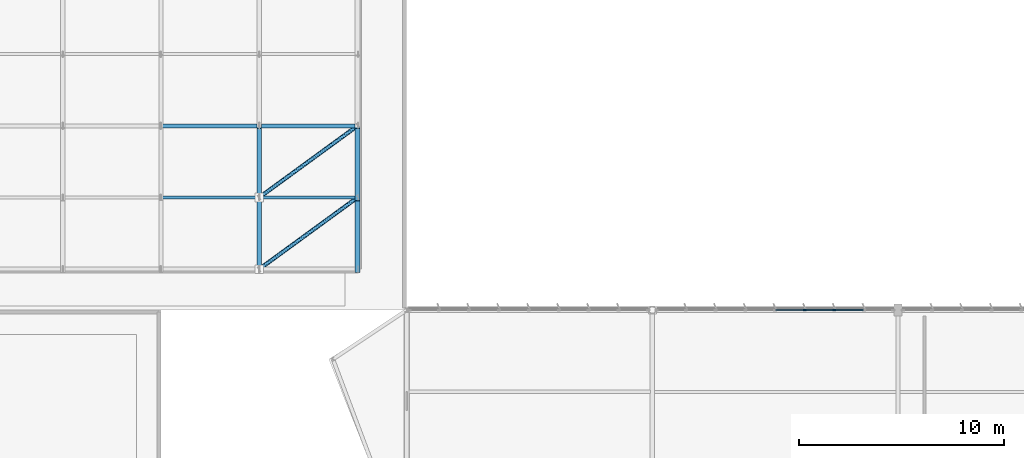
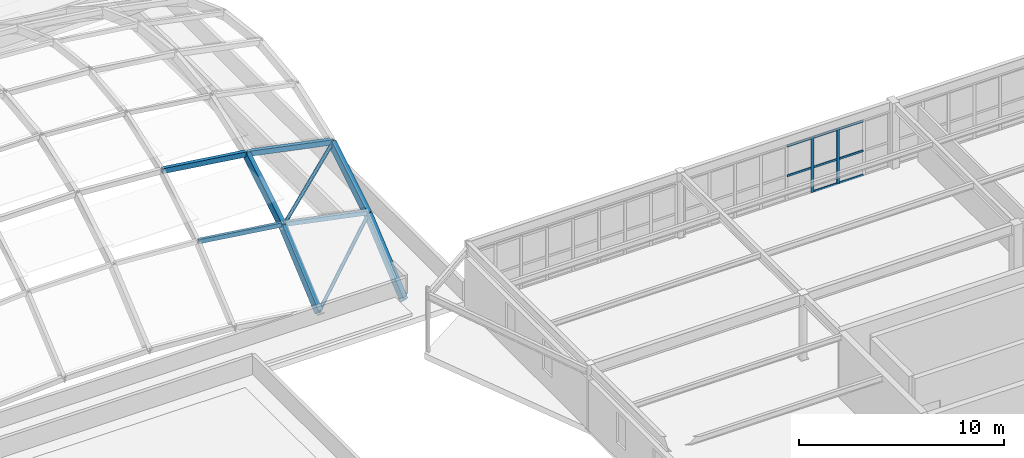
# One storey, part 58 of 128: 20 members, 1 element without a shape of its own.
"""IFC4 building model written with IfcOpenShell, lengths in metres."""

from ifc_helpers import new_model, si_unit, direction, frame, origin, origin_2d, place, context, subcontext, project, spatial, rectangle, hollow_rectangle, hollow_circle, extrude, material, layer, layer_set, material_profile, profile_set, type_object, element, aggregate, save


model = new_model("IFC4")

# Units and contexts
model_context = context("Model", 3, precision=1e-05, world=origin(), true_north=direction((0.0, 1.0)))
body_context = subcontext(model_context, "Body", "Model", "MODEL_VIEW")
ifc_project = project(units=[si_unit("LENGTHUNIT", "METRE"), si_unit("AREAUNIT", "SQUARE_METRE"), si_unit("VOLUMEUNIT", "CUBIC_METRE"), si_unit("PLANEANGLEUNIT", "RADIAN"), si_unit("MASSUNIT", "GRAM", prefix="KILO")], contexts=[model_context])

# Site, building, storey
site_placement = place(None, origin())
site = spatial("IfcSite", under=ifc_project, at=site_placement, CompositionType="ELEMENT")
building_placement = place(site_placement, origin())
building = spatial("IfcBuilding", under=site, at=building_placement, Name="Tarnwether General Hospital", CompositionType="ELEMENT")
storey_placement = place(building_placement, frame((0.0, 0.0, 14.39990234375)))
storey = spatial("IfcBuildingStorey", under=building, at=storey_placement, Name="L03", CompositionType="ELEMENT", Elevation=14.39990234375)

# Curtain wall, members
ifc_material_1 = material(Name="Anodised aluminium", Category="aluminium")
ifc_layer = layer(ifc_material_1, 0.159912109375)
ifc_layer_set = layer_set([ifc_layer], Name="Anodised aluminium")
curtain_wall_type = type_object("IfcCurtainWallType", Name="CW-18", PredefinedType="NOTDEFINED", material=ifc_layer_set)
curtain_wall_placement = place(storey_placement, origin())
curtain_wall = element("IfcCurtainWall", 1, at=curtain_wall_placement, inside=storey, type_object=curtain_wall_type, Name="Curtain Wall CWG-L03-1562_456-0477", PredefinedType="NOTDEFINED")
ifc_material_2 = material(Name="Anodised aluminium", Category="aluminium")
ifc_material_profile_1 = material_profile(ifc_material_2, rectangle(XDim=0.06005859375, YDim=0.159912109375, at=origin_2d()), Name="ALU-MUL-60x160")
ifc_profile_set_1 = profile_set([ifc_material_profile_1], Name="Anodised aluminium")
member_type_1 = type_object("IfcMemberType", Name="CW-ML1", PredefinedType="MULLION", material=ifc_profile_set_1)
member_1_placement = place(storey_placement, frame((163.439697265625, 45.60009765625, 0.0), z_axis=(0.0, 0.0, 1.0), x_axis=(0.0, 1.0, 0.0)))
member_1 = element("IfcMember", 2, at=member_1_placement, type_object=member_type_1, Name="CW-18 mullion 6", PredefinedType="MULLION", context=body_context, shape_type="SweptSolid", body=[
    extrude(rectangle(XDim=0.06005859375, YDim=0.159912109375, at=origin_2d()), origin(), (0.0, 0.0, 1.0), 3.273193359375),
])
member_2_placement = place(storey_placement, frame((164.890380859375, 45.60009765625, 0.0), z_axis=(0.0, 0.0, 1.0), x_axis=(0.0, 1.0, 0.0)))
member_2 = element("IfcMember", 3, at=member_2_placement, type_object=member_type_1, Name="CW-18 mullion 7", PredefinedType="MULLION", context=body_context, shape_type="SweptSolid", body=[
    extrude(rectangle(XDim=0.06005859375, YDim=0.159912109375, at=origin_2d()), origin(), (0.0, 0.0, 1.0), 3.273193359375),
])
ifc_material_3 = material(Name="Anodised aluminium", Category="aluminium")
ifc_material_profile_2 = material_profile(ifc_material_3, rectangle(XDim=0.06005859375, YDim=0.1201171875, at=origin_2d()), Name="ALU-TRN-60x120")
ifc_profile_set_2 = profile_set([ifc_material_profile_2], Name="Anodised aluminium")
member_type_2 = type_object("IfcMemberType", Name="CW-TR1", PredefinedType="USERDEFINED", material=ifc_profile_set_2)
member_3_placement = place(storey_placement, frame((162.01904296875, 45.60009765625, 1.472900390625), z_axis=(1.0, 0.0, 0.0), x_axis=(0.0, 1.0, 0.0)))
member_3 = element("IfcMember", 4, at=member_3_placement, type_object=member_type_2, Name="CW-18 transom 5.2", ObjectType="TRANSOM", PredefinedType="USERDEFINED", context=body_context, shape_type="SweptSolid", body=[
    extrude(rectangle(XDim=0.06005859375, YDim=0.1201171875, at=origin_2d()), origin(), (0.0, 0.0, 1.0), 1.390625),
])
member_4_placement = place(storey_placement, frame((162.01904296875, 45.60009765625, 3.2431640625), z_axis=(1.0, 0.0, 0.0), x_axis=(0.0, 1.0, 0.0)))
member_4 = element("IfcMember", 5, at=member_4_placement, type_object=member_type_2, Name="CW-18 transom 5.3", ObjectType="TRANSOM", PredefinedType="USERDEFINED", context=body_context, shape_type="SweptSolid", body=[
    extrude(rectangle(XDim=0.06005859375, YDim=0.1201171875, at=origin_2d()), origin(), (0.0, 0.0, 1.0), 1.390625),
])
member_5_placement = place(storey_placement, frame((163.4697265625, 45.60009765625, 0.030029296875), z_axis=(1.0, 0.0, 0.0), x_axis=(0.0, 1.0, 0.0)))
member_5 = element("IfcMember", 6, at=member_5_placement, type_object=member_type_2, Name="CW-18 transom 6.1", ObjectType="TRANSOM", PredefinedType="USERDEFINED", context=body_context, shape_type="SweptSolid", body=[
    extrude(rectangle(XDim=0.06005859375, YDim=0.1201171875, at=origin_2d()), origin(), (0.0, 0.0, 1.0), 1.390869140625),
])
member_6_placement = place(storey_placement, frame((163.4697265625, 45.60009765625, 1.472900390625), z_axis=(1.0, 0.0, 0.0), x_axis=(0.0, 1.0, 0.0)))
member_6 = element("IfcMember", 7, at=member_6_placement, type_object=member_type_2, Name="CW-18 transom 6.2", ObjectType="TRANSOM", PredefinedType="USERDEFINED", context=body_context, shape_type="SweptSolid", body=[
    extrude(rectangle(XDim=0.06005859375, YDim=0.1201171875, at=origin_2d()), origin(), (0.0, 0.0, 1.0), 1.390869140625),
])
member_7_placement = place(storey_placement, frame((163.4697265625, 45.60009765625, 3.2431640625), z_axis=(1.0, 0.0, 0.0), x_axis=(0.0, 1.0, 0.0)))
member_7 = element("IfcMember", 8, at=member_7_placement, type_object=member_type_2, Name="CW-18 transom 6.3", ObjectType="TRANSOM", PredefinedType="USERDEFINED", context=body_context, shape_type="SweptSolid", body=[
    extrude(rectangle(XDim=0.06005859375, YDim=0.1201171875, at=origin_2d()), origin(), (0.0, 0.0, 1.0), 1.390869140625),
])
member_8_placement = place(storey_placement, frame((164.92041015625, 45.60009765625, 0.030029296875), z_axis=(1.0, 0.0, 0.0), x_axis=(0.0, 1.0, 0.0)))
member_8 = element("IfcMember", 9, at=member_8_placement, type_object=member_type_2, Name="CW-18 transom 7.1", ObjectType="TRANSOM", PredefinedType="USERDEFINED", context=body_context, shape_type="SweptSolid", body=[
    extrude(rectangle(XDim=0.06005859375, YDim=0.1201171875, at=origin_2d()), origin(), (0.0, 0.0, 1.0), 1.390869140625),
])
member_9_placement = place(storey_placement, frame((164.92041015625, 45.60009765625, 1.472900390625), z_axis=(1.0, 0.0, 0.0), x_axis=(0.0, 1.0, 0.0)))
member_9 = element("IfcMember", 10, at=member_9_placement, type_object=member_type_2, Name="CW-18 transom 7.2", ObjectType="TRANSOM", PredefinedType="USERDEFINED", context=body_context, shape_type="SweptSolid", body=[
    extrude(rectangle(XDim=0.06005859375, YDim=0.1201171875, at=origin_2d()), origin(), (0.0, 0.0, 1.0), 1.390869140625),
])
member_10_placement = place(storey_placement, frame((164.92041015625, 45.60009765625, 3.2431640625), z_axis=(1.0, 0.0, 0.0), x_axis=(0.0, 1.0, 0.0)))
member_10 = element("IfcMember", 11, at=member_10_placement, type_object=member_type_2, Name="CW-18 transom 7.3", ObjectType="TRANSOM", PredefinedType="USERDEFINED", context=body_context, shape_type="SweptSolid", body=[
    extrude(rectangle(XDim=0.06005859375, YDim=0.1201171875, at=origin_2d()), origin(), (0.0, 0.0, 1.0), 1.390869140625),
])
aggregate(curtain_wall, [member_1, member_2, member_3, member_4, member_5, member_6, member_7, member_8, member_9, member_10])

# Members
ifc_material_4 = material(Name="Steel Grade C350L0 (350 MPa)", Category="steel")
ifc_material_profile_3 = material_profile(ifc_material_4, hollow_circle(Radius=0.096923828125, WallThickness=0.008056640625, at=origin_2d()), Name="CHS193.7x8.0")
ifc_profile_set_3 = profile_set([ifc_material_profile_3], Name="Steel Grade C350L0 (350 MPa)")
member_type_3 = type_object("IfcMemberType", Name="MB-BR5", PredefinedType="BRACE", material=ifc_profile_set_3)
member_11_placement = place(storey_placement, frame((136.800048828125, 47.60009765625, 0.979736328125), z_axis=(0.76595719819, 0.558504775609, 0.318405380235), x_axis=(-0.589168244541, 0.808010383365, 0.0)))
element("IfcMember", 12, at=member_11_placement, inside=storey, type_object=member_type_3, Name="Gridshell Shell Brace 132", PredefinedType="BRACE", context=body_context, shape_type="SweptSolid", body=[
    extrude(hollow_circle(Radius=0.096923828125, WallThickness=0.008056640625, at=origin_2d()), origin(), (0.0, 0.0, 1.0), 6.266845703125),
])
member_12_placement = place(storey_placement, frame((136.800048828125, 51.10009765625, 3.95458984375), z_axis=(0.793394800029, 0.578511156768, 0.189339728485), x_axis=(-0.589168244541, 0.808010383365, 0.0)))
element("IfcMember", 13, at=member_12_placement, inside=storey, type_object=member_type_3, Name="Gridshell Shell Brace 133", PredefinedType="BRACE", context=body_context, shape_type="SweptSolid", body=[
    extrude(hollow_circle(Radius=0.096923828125, WallThickness=0.008056640625, at=origin_2d()), origin(), (0.0, 0.0, 1.0), 6.050048828125),
])
ifc_material_5 = material(Name="Glulam GL12", Category="wood")
ifc_material_profile_4 = material_profile(ifc_material_5, rectangle(XDim=0.239990234375, YDim=0.5400390625, at=origin_2d()), Name="GL12-240x540")
ifc_profile_set_4 = profile_set([ifc_material_profile_4], Name="Glulam GL12")
member_type_4 = type_object("IfcMemberType", Name="MB-GS1", PredefinedType="CHORD", material=ifc_profile_set_4)
member_13_placement = place(storey_placement, frame((136.800048828125, 47.60009765625, 0.979736328125), z_axis=(0.0, 0.761955054185, 0.647629906198), x_axis=(-1.0, 0.0, 0.0)))
element("IfcMember", 14, at=member_13_placement, inside=storey, type_object=member_type_4, Name="Gridshell Glulam Arch Chord 049", PredefinedType="CHORD", context=body_context, shape_type="SweptSolid", body=[
    extrude(rectangle(XDim=0.239990234375, YDim=0.5400390625, at=origin_2d()), origin(), (0.0, 0.0, 1.0), 4.593505859375),
])
member_14_placement = place(storey_placement, frame((136.800048828125, 51.10009765625, 3.95458984375), z_axis=(0.0, 0.854787515222, 0.518978134242), x_axis=(-1.0, 0.0, 0.0)))
element("IfcMember", 15, at=member_14_placement, inside=storey, type_object=member_type_4, Name="Gridshell Glulam Arch Chord 050", PredefinedType="CHORD", context=body_context, shape_type="SweptSolid", body=[
    extrude(rectangle(XDim=0.239990234375, YDim=0.5400390625, at=origin_2d()), origin(), (0.0, 0.0, 1.0), 4.094482421875),
])
member_15_placement = place(storey_placement, frame((141.60009765625, 47.60009765625, 0.0), z_axis=(0.0, 0.76192882692, 0.647660762057), x_axis=(-1.0, 0.0, 0.0)))
element("IfcMember", 16, at=member_15_placement, inside=storey, type_object=member_type_4, Name="Gridshell Glulam Arch Chord 057", PredefinedType="CHORD", context=body_context, shape_type="SweptSolid", body=[
    extrude(rectangle(XDim=0.239990234375, YDim=0.5400390625, at=origin_2d()), origin(), (0.0, 0.0, 1.0), 4.593505859375),
])
member_16_placement = place(storey_placement, frame((141.60009765625, 51.10009765625, 2.97509765625), z_axis=(0.0, 0.854787515222, 0.518978134242), x_axis=(-1.0, 0.0, 0.0)))
element("IfcMember", 17, at=member_16_placement, inside=storey, type_object=member_type_4, Name="Gridshell Glulam Arch Chord 058", PredefinedType="CHORD", context=body_context, shape_type="SweptSolid", body=[
    extrude(rectangle(XDim=0.239990234375, YDim=0.5400390625, at=origin_2d()), origin(), (0.0, 0.0, 1.0), 4.094482421875),
])
ifc_material_6 = material(Name="Steel Grade C350L0 (350 MPa)", Category="steel")
ifc_material_profile_5 = material_profile(ifc_material_6, hollow_rectangle(XDim=0.199951171875, YDim=0.300048828125, WallThickness=0.012451171875, at=origin_2d()), Name="RHS300x200x12.5")
ifc_profile_set_5 = profile_set([ifc_material_profile_5], Name="Steel Grade C350L0 (350 MPa)")
member_type_5 = type_object("IfcMemberType", Name="MB-GS3", PredefinedType="CHORD", material=ifc_profile_set_5)
member_17_placement = place(storey_placement, frame((132.0, 54.60009765625, 6.8427734375), z_axis=(0.990870911369, 0.0, -0.134814083104), x_axis=(0.0, 1.0, 0.0)))
element("IfcMember", 18, at=member_17_placement, inside=storey, type_object=member_type_5, Name="Gridshell Steel Longitudinal Chord 084", PredefinedType="CHORD", context=body_context, shape_type="SweptSolid", body=[
    extrude(hollow_rectangle(XDim=0.199951171875, YDim=0.300048828125, WallThickness=0.012451171875, at=origin_2d()), origin(), (0.0, 0.0, 1.0), 4.84423828125),
])
member_18_placement = place(storey_placement, frame((136.800048828125, 54.60009765625, 6.189697265625), z_axis=(0.979808442283, 0.0, -0.199938531633), x_axis=(0.0, 1.0, 0.0)))
element("IfcMember", 19, at=member_18_placement, inside=storey, type_object=member_type_5, Name="Gridshell Steel Longitudinal Chord 085", PredefinedType="CHORD", context=body_context, shape_type="SweptSolid", body=[
    extrude(hollow_rectangle(XDim=0.199951171875, YDim=0.300048828125, WallThickness=0.012451171875, at=origin_2d()), origin(), (0.0, 0.0, 1.0), 4.89892578125),
])
ifc_material_7 = material(Name="Steel Grade C350L0 (350 MPa)", Category="steel")
ifc_material_profile_6 = material_profile(ifc_material_7, hollow_rectangle(XDim=0.14990234375, YDim=0.25, WallThickness=0.010009765625, at=origin_2d()), Name="RHS250x150x10")
ifc_profile_set_6 = profile_set([ifc_material_profile_6], Name="Steel Grade C350L0 (350 MPa)")
member_type_6 = type_object("IfcMemberType", Name="MB-GS4", PredefinedType="CHORD", material=ifc_profile_set_6)
member_19_placement = place(storey_placement, frame((132.0, 51.10009765625, 4.74267578125), z_axis=(0.990870911369, 0.0, -0.134814083104), x_axis=(0.0, 1.0, 0.0)))
element("IfcMember", 20, at=member_19_placement, inside=storey, type_object=member_type_6, Name="Gridshell Steel Longitudinal Chord 077", PredefinedType="CHORD", context=body_context, shape_type="SweptSolid", body=[
    extrude(hollow_rectangle(XDim=0.14990234375, YDim=0.25, WallThickness=0.010009765625, at=origin_2d()), origin(), (0.0, 0.0, 1.0), 4.84423828125),
])
member_20_placement = place(storey_placement, frame((136.800048828125, 51.10009765625, 4.089599609375), z_axis=(0.979808442283, 0.0, -0.199938531633), x_axis=(0.0, 1.0, 0.0)))
element("IfcMember", 21, at=member_20_placement, inside=storey, type_object=member_type_6, Name="Gridshell Steel Longitudinal Chord 078", PredefinedType="CHORD", context=body_context, shape_type="SweptSolid", body=[
    extrude(hollow_rectangle(XDim=0.14990234375, YDim=0.25, WallThickness=0.010009765625, at=origin_2d()), origin(), (0.0, 0.0, 1.0), 4.89892578125),
])

save(model, "model.ifc")
